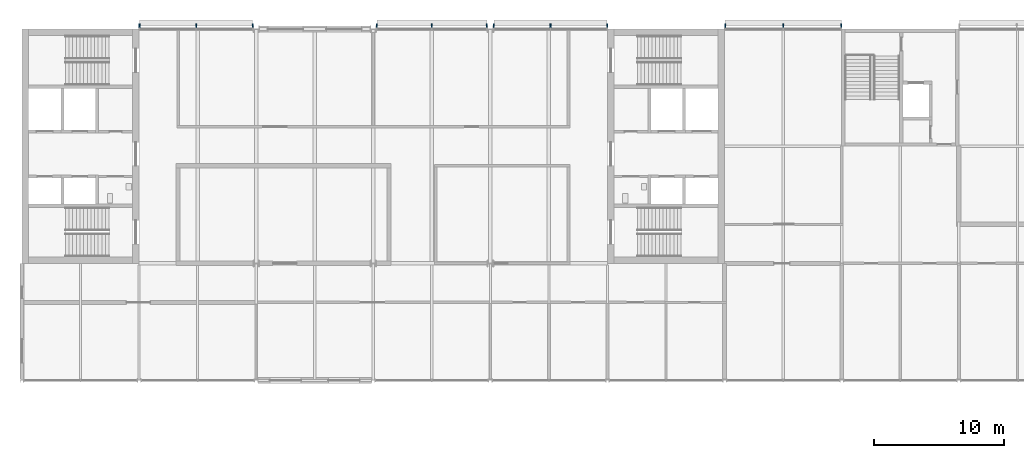
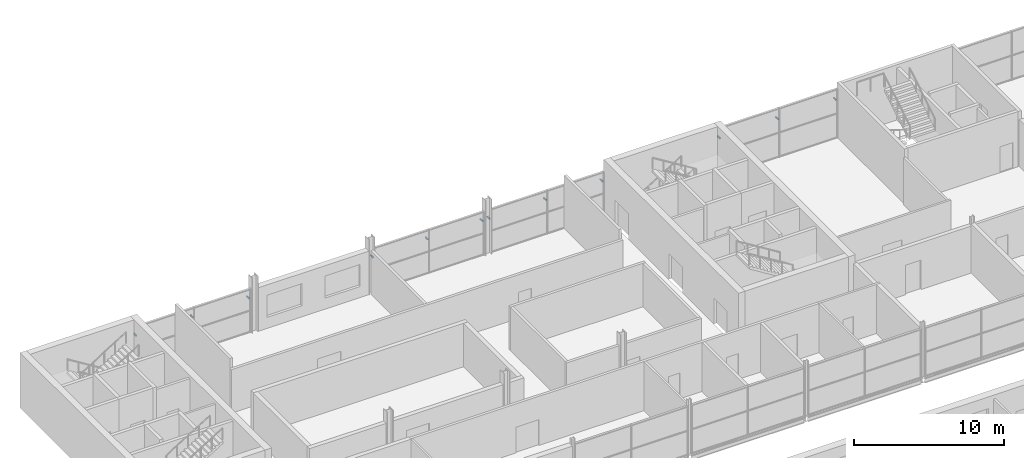
# One storey, part 133 of 138: 12 discrete accessories.
"""IFC4 building model written with IfcOpenShell, lengths in metres."""

from ifc_helpers import new_model, si_unit, direction, frame, origin, origin_2d, place, context, subcontext, project, spatial, rectangle, extrude, material, type_object, element, save


model = new_model("IFC4")

# Units and contexts
model_context = context("Model", 3, precision=1e-05, world=origin(), true_north=direction((0.0, 1.0)))
body_context = subcontext(model_context, "Body", "Model", "MODEL_VIEW")
ifc_project = project(units=[si_unit("LENGTHUNIT", "METRE"), si_unit("AREAUNIT", "SQUARE_METRE"), si_unit("VOLUMEUNIT", "CUBIC_METRE"), si_unit("PLANEANGLEUNIT", "RADIAN"), si_unit("MASSUNIT", "GRAM", prefix="KILO")], contexts=[model_context])

# Site, building, storey
site_placement = place(None, origin())
site = spatial("IfcSite", under=ifc_project, at=site_placement, CompositionType="ELEMENT")
building_placement = place(site_placement, origin())
building = spatial("IfcBuilding", under=site, at=building_placement, Name="Corbel Yard City Hall", CompositionType="ELEMENT")
storey_placement = place(building_placement, frame((0.0, 0.0, 10.5)))
storey = spatial("IfcBuildingStorey", under=building, at=storey_placement, Name="L02", CompositionType="ELEMENT", Elevation=10.5)

# Discrete accessories
ifc_material = material(Name="Steel Grade 300 (300 MPa yield)", Category="steel")
discrete_accessory_type = type_object("IfcDiscreteAccessoryType", Name="BK2", PredefinedType="BRACKET", material=ifc_material)
for number, where, z_axis, x_axis, name in (
    (1, (9.032470703125, 117.25, 2.614990234375), (0.0, 0.0, 1.0), (1.0, 0.0, 0.0), "Louvre bracket"),
    (2, (13.3798828125, 117.25, 2.614990234375), (0.0, 0.0, 1.0), (1.0, 0.0, 0.0), "Louvre bracket"),
    (3, (17.7275390625, 117.25, 2.614990234375), (0.0, 0.0, 1.0), (1.0, 0.0, 0.0), "Louvre bracket"),
    (4, (27.2724609375, 117.25, 2.614990234375), (0.0, 0.0, 1.0), (1.0, 0.0, 0.0), "Louvre bracket"),
    (5, (31.5, 117.25, 2.614990234375), (0.0, 0.0, 1.0), (1.0, 0.0, 0.0), "Louvre bracket"),
    (6, (35.7275390625, 117.25, 2.614990234375), (0.0, 0.0, 1.0), (1.0, 0.0, 0.0), "Louvre bracket"),
    (7, (36.2724609375, 117.25, 2.614990234375), (0.0, 0.0, 1.0), (1.0, 0.0, 0.0), "Louvre bracket"),
    (8, (40.6201171875, 117.25, 2.614990234375), (0.0, 0.0, 1.0), (1.0, 0.0, 0.0), "Louvre bracket"),
    (9, (44.967529296875, 117.25, 2.614990234375), (0.0, 0.0, 1.0), (1.0, 0.0, 0.0), "Louvre bracket"),
    (10, (54.032470703125, 117.25, 2.953125), (0.0, 0.0, 1.0), (1.0, 0.0, 0.0), "Louvre bracket"),
    (11, (58.5, 117.25, 2.953125), (0.0, 0.0, 1.0), (1.0, 0.0, 0.0), "Louvre bracket"),
    (12, (62.967529296875, 117.25, 2.953125), (0.0, 0.0, 1.0), (1.0, 0.0, 0.0), "Louvre bracket"),
):
    element("IfcDiscreteAccessory", number, at=place(storey_placement, frame(where, z_axis=z_axis, x_axis=x_axis)), inside=storey, type_object=discrete_accessory_type, Name=name, PredefinedType="BRACKET", context=body_context, shape_type="SweptSolid", body=[
        extrude(rectangle(XDim=0.080078125, YDim=0.300048828125, at=origin_2d()), origin(), (0.0, 0.0, 1.0), 0.080078125),
    ])

save(model, "model.ifc")
